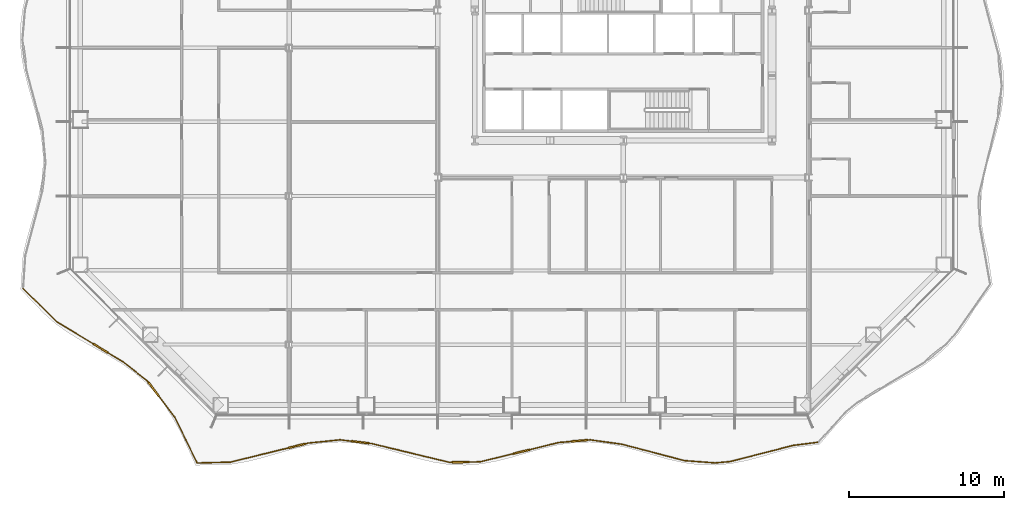
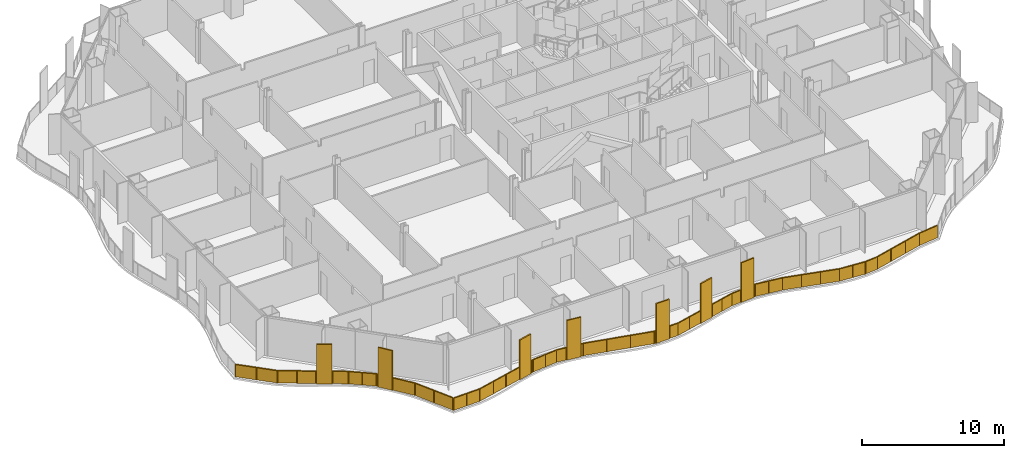
# One storey, part 15 of 20: 2 railings.
"""IFC4 building model written with IfcOpenShell, lengths in metres."""

from ifc_helpers import new_model, si_unit, direction, frame, origin, origin_2d, place, context, subcontext, project, spatial, polyline, rectangle, outline, extrude, material, type_object, element, save


model = new_model("IFC4")

# Units and contexts
model_context = context("Model", 3, precision=1e-05, world=origin(), true_north=direction((0.0, 1.0)))
body_context = subcontext(model_context, "Body", "Model", "MODEL_VIEW")
ifc_project = project(units=[si_unit("LENGTHUNIT", "METRE"), si_unit("AREAUNIT", "SQUARE_METRE"), si_unit("VOLUMEUNIT", "CUBIC_METRE"), si_unit("PLANEANGLEUNIT", "RADIAN"), si_unit("MASSUNIT", "GRAM", prefix="KILO")], contexts=[model_context])

# Site, building, storey
site_placement = place(None, origin())
site = spatial("IfcSite", under=ifc_project, at=site_placement, CompositionType="ELEMENT")
building_placement = place(site_placement, origin())
building = spatial("IfcBuilding", under=site, at=building_placement, Name="Cairn Pilgrim Tower", CompositionType="ELEMENT")
storey_placement = place(building_placement, frame((0.0, 0.0, 51.0)))
storey = spatial("IfcBuildingStorey", under=building, at=storey_placement, Name="L10", CompositionType="ELEMENT", Elevation=51.0)

# Railings
ifc_material = material(Name="Bronze anodised aluminium rail, posts and fin screens with laminated glass infill", Category="aluminium")
railing_type = type_object("IfcRailingType", Name="BALCONY GUARD WITH FIN SCREENS", PredefinedType="GUARDRAIL", material=ifc_material)
railing_1_placement = place(storey_placement, frame((-20.35009765625, -26.84765625, 0.0)))
element("IfcRailing", 1, at=railing_1_placement, inside=storey, type_object=railing_type, Name="Balcony guard BGF-1 with fin screens", PredefinedType="GUARDRAIL", context=body_context, shape_type="SweptSolid", body=[
    extrude(rectangle(XDim=0.050048828125, YDim=0.050048828125, at=origin_2d()), frame((0.0, 0.0, 1.0751953125), z_axis=(0.999665032724, 0.025880926372, 0.0), x_axis=(-0.025880926372, 0.999665032724, 0.0)), (0.0, 0.0, 1.0), 2.141357421875),
    extrude(rectangle(XDim=1.10009765625, YDim=0.110107421875, at=origin_2d()), frame((6.43701171875, 1.10546875, 0.0), z_axis=(0.0, 0.0, 1.0), x_axis=(0.971403341759, 0.237435354613, 0.0)), (0.0, 0.0, 1.0), 3.39990234375),
    extrude(rectangle(XDim=0.050048828125, YDim=0.050048828125, at=origin_2d()), frame((2.140625, 0.055419921875, 1.0751953125), z_axis=(0.971403341759, 0.237435354613, 0.0), x_axis=(-0.237435354613, 0.971403341759, 0.0)), (0.0, 0.0, 1.0), 3.872802734375),
    extrude(rectangle(XDim=0.050048828125, YDim=0.050048828125, at=origin_2d()), frame((6.97119140625, 1.236083984375, 1.0751953125), z_axis=(0.971403341759, 0.237435354613, 0.0), x_axis=(-0.237435354613, 0.971403341759, 0.0)), (0.0, 0.0, 1.0), 0.222900390625),
    extrude(rectangle(XDim=0.050048828125, YDim=0.050048828125, at=origin_2d()), frame((7.187744140625, 1.2890625, 1.0751953125), z_axis=(0.994833164728, 0.101523270029, 0.0), x_axis=(-0.101523270029, 0.994833164728, 0.0)), (0.0, 0.0, 1.0), 2.05859375),
    extrude(rectangle(XDim=1.10009765625, YDim=0.110107421875, at=origin_2d()), frame((10.540283203125, 1.342041015625, 0.0), z_axis=(0.0, 0.0, 1.0), x_axis=(0.992930548641, -0.118696779974, 0.0)), (0.0, 0.0, 1.0), 3.39990234375),
    extrude(rectangle(XDim=0.050048828125, YDim=0.050048828125, at=origin_2d()), frame((9.235595703125, 1.498046875, 1.0751953125), z_axis=(0.992930548641, -0.118696779974, 0.0), x_axis=(0.118696779974, 0.992930548641, 0.0)), (0.0, 0.0, 1.0), 0.763916015625),
    extrude(rectangle(XDim=0.050048828125, YDim=0.050048828125, at=origin_2d()), frame((11.086181640625, 1.27685546875, 1.0751953125), z_axis=(0.992930548641, -0.118696779974, 0.0), x_axis=(0.118696779974, 0.992930548641, 0.0)), (0.0, 0.0, 1.0), 0.197021484375),
    extrude(rectangle(XDim=0.050048828125, YDim=0.050048828125, at=origin_2d()), frame((11.281982421875, 1.25341796875, 1.0751953125), z_axis=(0.972183556205, -0.234220266083, 0.0), x_axis=(0.234220266083, 0.972183556205, 0.0)), (0.0, 0.0, 1.0), 5.186767578125),
    extrude(rectangle(XDim=1.10009765625, YDim=0.110107421875, at=origin_2d()), frame((17.024169921875, 0.0517578125, 0.0), z_axis=(0.0, 0.0, 1.0), x_axis=(0.999820644994, 0.018938792045, 0.0)), (0.0, 0.0, 1.0), 3.39990234375),
    extrude(rectangle(XDim=0.050048828125, YDim=0.050048828125, at=origin_2d()), frame((16.324462890625, 0.03857421875, 1.0751953125), z_axis=(0.999820644994, 0.018938792045, 0.0), x_axis=(-0.018938792045, 0.999820644994, 0.0)), (0.0, 0.0, 1.0), 0.14990234375),
    extrude(rectangle(XDim=0.050048828125, YDim=0.050048828125, at=origin_2d()), frame((17.573974609375, 0.062255859375, 1.0751953125), z_axis=(0.999820644994, 0.018938792045, 0.0), x_axis=(-0.018938792045, 0.999820644994, 0.0)), (0.0, 0.0, 1.0), 0.7353515625),
    extrude(rectangle(XDim=1.10009765625, YDim=0.110107421875, at=origin_2d()), frame((20.935791015625, 0.724609375, 0.0), z_axis=(0.0, 0.0, 1.0), x_axis=(0.970845467118, 0.239706234747, 0.0)), (0.0, 0.0, 1.0), 3.39990234375),
    extrude(rectangle(XDim=0.050048828125, YDim=0.050048828125, at=origin_2d()), frame((18.309326171875, 0.076171875, 1.0751953125), z_axis=(0.970845467118, 0.239706234747, 0.0), x_axis=(-0.239706234747, 0.970845467118, 0.0)), (0.0, 0.0, 1.0), 2.1552734375),
    extrude(rectangle(XDim=0.050048828125, YDim=0.050048828125, at=origin_2d()), frame((21.4697265625, 0.8564453125, 1.0751953125), z_axis=(0.970845467118, 0.239706234747, 0.0), x_axis=(-0.239706234747, 0.970845467118, 0.0)), (0.0, 0.0, 1.0), 1.944091796875),
    extrude(rectangle(XDim=1.10009765625, YDim=0.110107421875, at=origin_2d()), frame((24.708984375, 1.436279296875, 0.0), z_axis=(0.0, 0.0, 1.0), x_axis=(0.996482437645, 0.083801858365, 0.0)), (0.0, 0.0, 1.0), 3.39990234375),
    extrude(rectangle(XDim=0.050048828125, YDim=0.050048828125, at=origin_2d()), frame((23.357177734375, 1.322509765625, 1.0751953125), z_axis=(0.996482437645, 0.083801858365, 0.0), x_axis=(-0.083801858365, 0.996482437645, 0.0)), (0.0, 0.0, 1.0), 0.806640625),
    extrude(rectangle(XDim=0.050048828125, YDim=0.050048828125, at=origin_2d()), frame((25.257080078125, 1.482177734375, 1.0751953125), z_axis=(0.996482437645, 0.083801858365, 0.0), x_axis=(-0.083801858365, 0.996482437645, 0.0)), (0.0, 0.0, 1.0), 0.150146484375),
    extrude(rectangle(XDim=0.050048828125, YDim=0.050048828125, at=origin_2d()), frame((25.40673828125, 1.494873046875, 1.0751953125), z_axis=(0.990798491518, -0.135345296205, 0.0), x_axis=(0.135345296205, 0.990798491518, 0.0)), (0.0, 0.0, 1.0), 2.0654296875),
    extrude(rectangle(XDim=0.050048828125, YDim=0.050048828125, at=origin_2d()), frame((27.453125, 1.21533203125, 1.0751953125), z_axis=(0.967162352944, -0.254159365455, 0.0), x_axis=(0.254159365455, 0.967162352944, 0.0)), (0.0, 0.0, 1.0), 4.1748046875),
    extrude(rectangle(XDim=0.050048828125, YDim=0.050048828125, at=origin_2d()), frame((31.49072265625, 0.154296875, 1.0751953125), z_axis=(0.997197033679, -0.074820291511, 0.0), x_axis=(0.074820291511, 0.997197033679, 0.0)), (0.0, 0.0, 1.0), 2.000244140625),
    extrude(rectangle(XDim=0.050048828125, YDim=0.050048828125, at=origin_2d()), frame((33.4853515625, 0.004638671875, 1.0751953125), z_axis=(0.995513174876, 0.094623034444, 0.0), x_axis=(-0.094623034444, 0.995513174876, 0.0)), (0.0, 0.0, 1.0), 0.99072265625),
    extrude(rectangle(XDim=0.050048828125, YDim=0.050048828125, at=origin_2d()), frame((34.4716796875, 0.098388671875, 1.0751953125), z_axis=(0.968643638415, 0.248454224673, 0.0), x_axis=(-0.248454224673, 0.968643638415, 0.0)), (0.0, 0.0, 1.0), 4.17041015625),
    extrude(rectangle(XDim=0.050048828125, YDim=0.050048828125, at=origin_2d()), frame((38.51123046875, 1.134521484375, 1.0751953125), z_axis=(0.991837154862, 0.127511012211, 0.0), x_axis=(-0.127511012211, 0.991837154862, 0.0)), (0.0, 0.0, 1.0), 1.5986328125),
    extrude(rectangle(XDim=0.050048828125, YDim=0.050048828125, at=origin_2d()), origin(), (0.0, 0.0, 1.0), 1.050048828125),
    extrude(rectangle(XDim=0.050048828125, YDim=0.050048828125, at=origin_2d()), frame((1.0703125, 0.02783203125, 0.0)), (0.0, 0.0, 1.0), 1.050048828125),
    extrude(rectangle(XDim=0.050048828125, YDim=0.050048828125, at=origin_2d()), frame((2.140625, 0.055419921875, 0.0)), (0.0, 0.0, 1.0), 1.050048828125),
    extrude(rectangle(XDim=0.050048828125, YDim=0.050048828125, at=origin_2d()), frame((3.386474609375, 0.35986328125, 0.0)), (0.0, 0.0, 1.0), 1.050048828125),
    extrude(rectangle(XDim=0.050048828125, YDim=0.050048828125, at=origin_2d()), frame((4.63232421875, 0.66455078125, 0.0)), (0.0, 0.0, 1.0), 1.050048828125),
    extrude(rectangle(XDim=0.050048828125, YDim=0.050048828125, at=origin_2d()), frame((5.87841796875, 0.968994140625, 0.0)), (0.0, 0.0, 1.0), 1.050048828125),
    extrude(rectangle(XDim=0.050048828125, YDim=0.050048828125, at=origin_2d()), frame((6.99560546875, 1.2421875, 0.0)), (0.0, 0.0, 1.0), 1.050048828125),
    extrude(rectangle(XDim=0.050048828125, YDim=0.050048828125, at=origin_2d()), frame((7.187744140625, 1.2890625, 0.0)), (0.0, 0.0, 1.0), 1.050048828125),
    extrude(rectangle(XDim=0.050048828125, YDim=0.050048828125, at=origin_2d()), frame((8.211669921875, 1.3935546875, 0.0)), (0.0, 0.0, 1.0), 1.050048828125),
    extrude(rectangle(XDim=0.050048828125, YDim=0.050048828125, at=origin_2d()), frame((9.235595703125, 1.498046875, 0.0)), (0.0, 0.0, 1.0), 1.050048828125),
    extrude(rectangle(XDim=0.050048828125, YDim=0.050048828125, at=origin_2d()), frame((9.96923828125, 1.410400390625, 0.0)), (0.0, 0.0, 1.0), 1.050048828125),
    extrude(rectangle(XDim=0.050048828125, YDim=0.050048828125, at=origin_2d()), frame((11.111083984375, 1.27392578125, 0.0)), (0.0, 0.0, 1.0), 1.050048828125),
    extrude(rectangle(XDim=0.050048828125, YDim=0.050048828125, at=origin_2d()), frame((11.281982421875, 1.25341796875, 0.0)), (0.0, 0.0, 1.0), 1.050048828125),
    extrude(rectangle(XDim=0.050048828125, YDim=0.050048828125, at=origin_2d()), frame((12.962890625, 0.848388671875, 0.0)), (0.0, 0.0, 1.0), 1.050048828125),
    extrude(rectangle(XDim=0.050048828125, YDim=0.050048828125, at=origin_2d()), frame((14.6435546875, 0.443603515625, 0.0)), (0.0, 0.0, 1.0), 1.050048828125),
    extrude(rectangle(XDim=0.050048828125, YDim=0.050048828125, at=origin_2d()), frame((16.324462890625, 0.03857421875, 0.0)), (0.0, 0.0, 1.0), 1.050048828125),
    extrude(rectangle(XDim=0.050048828125, YDim=0.050048828125, at=origin_2d()), frame((16.44921875, 0.041015625, 0.0)), (0.0, 0.0, 1.0), 1.050048828125),
    extrude(rectangle(XDim=0.050048828125, YDim=0.050048828125, at=origin_2d()), frame((17.59912109375, 0.062744140625, 0.0)), (0.0, 0.0, 1.0), 1.050048828125),
    extrude(rectangle(XDim=0.050048828125, YDim=0.050048828125, at=origin_2d()), frame((18.309326171875, 0.076171875, 0.0)), (0.0, 0.0, 1.0), 1.050048828125),
    extrude(rectangle(XDim=0.050048828125, YDim=0.050048828125, at=origin_2d()), frame((19.343505859375, 0.33154296875, 0.0)), (0.0, 0.0, 1.0), 1.050048828125),
    extrude(rectangle(XDim=0.050048828125, YDim=0.050048828125, at=origin_2d()), frame((20.37744140625, 0.5869140625, 0.0)), (0.0, 0.0, 1.0), 1.050048828125),
    extrude(rectangle(XDim=0.050048828125, YDim=0.050048828125, at=origin_2d()), frame((21.494140625, 0.862548828125, 0.0)), (0.0, 0.0, 1.0), 1.050048828125),
    extrude(rectangle(XDim=0.050048828125, YDim=0.050048828125, at=origin_2d()), frame((22.425537109375, 1.092529296875, 0.0)), (0.0, 0.0, 1.0), 1.050048828125),
    extrude(rectangle(XDim=0.050048828125, YDim=0.050048828125, at=origin_2d()), frame((23.357177734375, 1.322509765625, 0.0)), (0.0, 0.0, 1.0), 1.050048828125),
    extrude(rectangle(XDim=0.050048828125, YDim=0.050048828125, at=origin_2d()), frame((24.135986328125, 1.387939453125, 0.0)), (0.0, 0.0, 1.0), 1.050048828125),
    extrude(rectangle(XDim=0.050048828125, YDim=0.050048828125, at=origin_2d()), frame((25.281982421875, 1.484375, 0.0)), (0.0, 0.0, 1.0), 1.050048828125),
    extrude(rectangle(XDim=0.050048828125, YDim=0.050048828125, at=origin_2d()), frame((25.40673828125, 1.494873046875, 0.0)), (0.0, 0.0, 1.0), 1.050048828125),
    extrude(rectangle(XDim=0.050048828125, YDim=0.050048828125, at=origin_2d()), frame((26.429931640625, 1.35498046875, 0.0)), (0.0, 0.0, 1.0), 1.050048828125),
    extrude(rectangle(XDim=0.050048828125, YDim=0.050048828125, at=origin_2d()), frame((27.453125, 1.21533203125, 0.0)), (0.0, 0.0, 1.0), 1.050048828125),
    extrude(rectangle(XDim=0.050048828125, YDim=0.050048828125, at=origin_2d()), frame((28.799072265625, 0.861572265625, 0.0)), (0.0, 0.0, 1.0), 1.050048828125),
    extrude(rectangle(XDim=0.050048828125, YDim=0.050048828125, at=origin_2d()), frame((30.144775390625, 0.508056640625, 0.0)), (0.0, 0.0, 1.0), 1.050048828125),
    extrude(rectangle(XDim=0.050048828125, YDim=0.050048828125, at=origin_2d()), frame((31.49072265625, 0.154296875, 0.0)), (0.0, 0.0, 1.0), 1.050048828125),
    extrude(rectangle(XDim=0.050048828125, YDim=0.050048828125, at=origin_2d()), frame((32.488037109375, 0.07958984375, 0.0)), (0.0, 0.0, 1.0), 1.050048828125),
    extrude(rectangle(XDim=0.050048828125, YDim=0.050048828125, at=origin_2d()), frame((33.4853515625, 0.004638671875, 0.0)), (0.0, 0.0, 1.0), 1.050048828125),
    extrude(rectangle(XDim=0.050048828125, YDim=0.050048828125, at=origin_2d()), frame((34.4716796875, 0.098388671875, 0.0)), (0.0, 0.0, 1.0), 1.050048828125),
    extrude(rectangle(XDim=0.050048828125, YDim=0.050048828125, at=origin_2d()), frame((35.818115234375, 0.44384765625, 0.0)), (0.0, 0.0, 1.0), 1.050048828125),
    extrude(rectangle(XDim=0.050048828125, YDim=0.050048828125, at=origin_2d()), frame((37.164794921875, 0.7890625, 0.0)), (0.0, 0.0, 1.0), 1.050048828125),
    extrude(rectangle(XDim=0.050048828125, YDim=0.050048828125, at=origin_2d()), frame((38.51123046875, 1.134521484375, 0.0)), (0.0, 0.0, 1.0), 1.050048828125),
    extrude(rectangle(XDim=0.050048828125, YDim=0.050048828125, at=origin_2d()), frame((40.096923828125, 1.33837890625, 0.0)), (0.0, 0.0, 1.0), 1.050048828125),
    extrude(outline(polyline([(0.02490234375, 0.0), (1.045654296875, 0.0), (1.045654296875, 1.050048828125), (0.02490234375, 1.050048828125), (0.02490234375, 0.0)])), frame((-0.000244140625, 0.005859375, 0.0), z_axis=(0.025880926372, -0.999665032724, 0.0), x_axis=(0.999665032724, 0.025880926372, 0.0)), (0.0, 0.0, 1.0), 0.011962890625),
    extrude(outline(polyline([(0.02490234375, 0.0), (1.045654296875, 0.0), (1.045654296875, 1.050048828125), (0.02490234375, 1.050048828125), (0.02490234375, 0.0)])), frame((1.070068359375, 0.03369140625, 0.0), z_axis=(0.025880926372, -0.999665032724, 0.0), x_axis=(0.999665032724, 0.025880926372, 0.0)), (0.0, 0.0, 1.0), 0.011962890625),
    extrude(outline(polyline([(0.02490234375, 0.0), (1.257568359375, 0.0), (1.257568359375, 1.050048828125), (0.02490234375, 1.050048828125), (0.02490234375, 0.0)])), frame((2.13916015625, 0.061279296875, 0.0), z_axis=(0.237435354613, -0.971403341759, 0.0), x_axis=(0.971403341759, 0.237435354613, 0.0)), (0.0, 0.0, 1.0), 0.011962890625),
    extrude(outline(polyline([(0.02490234375, 0.0), (1.257568359375, 0.0), (1.257568359375, 1.050048828125), (0.02490234375, 1.050048828125), (0.02490234375, 0.0)])), frame((3.385009765625, 0.36572265625, 0.0), z_axis=(0.237435354613, -0.971403341759, 0.0), x_axis=(0.971403341759, 0.237435354613, 0.0)), (0.0, 0.0, 1.0), 0.011962890625),
    extrude(outline(polyline([(0.02490234375, 0.0), (1.257568359375, 0.0), (1.257568359375, 1.050048828125), (0.02490234375, 1.050048828125), (0.02490234375, 0.0)])), frame((4.631103515625, 0.67041015625, 0.0), z_axis=(0.237435354613, -0.971403341759, 0.0), x_axis=(0.971403341759, 0.237435354613, 0.0)), (0.0, 0.0, 1.0), 0.011962890625),
    extrude(outline(polyline([(0.02490234375, 0.0), (0.1728515625, 0.0), (0.1728515625, 1.050048828125), (0.02490234375, 1.050048828125), (0.02490234375, 0.0)])), frame((6.994140625, 1.247802734375, 0.0), z_axis=(0.237435354613, -0.971403341759, 0.0), x_axis=(0.971403341759, 0.237435354613, 0.0)), (0.0, 0.0, 1.0), 0.011962890625),
    extrude(outline(polyline([(0.02490234375, 0.0), (1.004150390625, 0.0), (1.004150390625, 1.050048828125), (0.02490234375, 1.050048828125), (0.02490234375, 0.0)])), frame((7.187255859375, 1.294921875, 0.0), z_axis=(0.101523270029, -0.994833164728, 0.0), x_axis=(0.994833164728, 0.101523270029, 0.0)), (0.0, 0.0, 1.0), 0.011962890625),
    extrude(outline(polyline([(0.02490234375, 0.0), (1.004150390625, 0.0), (1.004150390625, 1.050048828125), (0.02490234375, 1.050048828125), (0.02490234375, 0.0)])), frame((8.211181640625, 1.3994140625, 0.0), z_axis=(0.101523270029, -0.994833164728, 0.0), x_axis=(0.994833164728, 0.101523270029, 0.0)), (0.0, 0.0, 1.0), 0.011962890625),
    extrude(outline(polyline([(0.02490234375, 0.0), (0.7138671875, 0.0), (0.7138671875, 1.050048828125), (0.02490234375, 1.050048828125), (0.02490234375, 0.0)])), frame((9.236328125, 1.50390625, 0.0), z_axis=(-0.118696779974, -0.992930548641, 0.0), x_axis=(0.992930548641, -0.118696779974, 0.0)), (0.0, 0.0, 1.0), 0.011962890625),
    extrude(outline(polyline([(0.02490234375, 0.0), (0.14697265625, 0.0), (0.14697265625, 1.050048828125), (0.02490234375, 1.050048828125), (0.02490234375, 0.0)])), frame((11.11181640625, 1.27978515625, 0.0), z_axis=(-0.118696779974, -0.992930548641, 0.0), x_axis=(0.992930548641, -0.118696779974, 0.0)), (0.0, 0.0, 1.0), 0.011962890625),
    extrude(outline(polyline([(0.02490234375, 0.0), (1.703857421875, 0.0), (1.703857421875, 1.050048828125), (0.02490234375, 1.050048828125), (0.02490234375, 0.0)])), frame((11.283447265625, 1.25927734375, 0.0), z_axis=(-0.234220266083, -0.972183556205, 0.0), x_axis=(0.972183556205, -0.234220266083, 0.0)), (0.0, 0.0, 1.0), 0.011962890625),
    extrude(outline(polyline([(0.02490234375, 0.0), (1.703857421875, 0.0), (1.703857421875, 1.050048828125), (0.02490234375, 1.050048828125), (0.02490234375, 0.0)])), frame((12.964111328125, 0.854248046875, 0.0), z_axis=(-0.234220266083, -0.972183556205, 0.0), x_axis=(0.972183556205, -0.234220266083, 0.0)), (0.0, 0.0, 1.0), 0.011962890625),
    extrude(outline(polyline([(0.02490234375, 0.0), (1.703857421875, 0.0), (1.703857421875, 1.050048828125), (0.02490234375, 1.050048828125), (0.02490234375, 0.0)])), frame((14.64501953125, 0.44921875, 0.0), z_axis=(-0.234220266083, -0.972183556205, 0.0), x_axis=(0.972183556205, -0.234220266083, 0.0)), (0.0, 0.0, 1.0), 0.011962890625),
    extrude(outline(polyline([(0.02490234375, 0.0), (0.099853515625, 0.0), (0.099853515625, 1.050048828125), (0.02490234375, 1.050048828125), (0.02490234375, 0.0)])), frame((16.324462890625, 0.04443359375, 0.0), z_axis=(0.018938792045, -0.999820644994, 0.0), x_axis=(0.999820644994, 0.018938792045, 0.0)), (0.0, 0.0, 1.0), 0.011962890625),
    extrude(outline(polyline([(0.02490234375, 0.0), (0.685302734375, 0.0), (0.685302734375, 1.050048828125), (0.02490234375, 1.050048828125), (0.02490234375, 0.0)])), frame((17.59912109375, 0.068603515625, 0.0), z_axis=(0.018938792045, -0.999820644994, 0.0), x_axis=(0.999820644994, 0.018938792045, 0.0)), (0.0, 0.0, 1.0), 0.011962890625),
    extrude(outline(polyline([(0.02490234375, 0.0), (1.0400390625, 0.0), (1.0400390625, 1.050048828125), (0.02490234375, 1.050048828125), (0.02490234375, 0.0)])), frame((18.307861328125, 0.08203125, 0.0), z_axis=(0.239706234747, -0.970845467118, 0.0), x_axis=(0.970845467118, 0.239706234747, 0.0)), (0.0, 0.0, 1.0), 0.011962890625),
    extrude(outline(polyline([(0.02490234375, 0.0), (1.0400390625, 0.0), (1.0400390625, 1.050048828125), (0.02490234375, 1.050048828125), (0.02490234375, 0.0)])), frame((19.342041015625, 0.33740234375, 0.0), z_axis=(0.239706234747, -0.970845467118, 0.0), x_axis=(0.970845467118, 0.239706234747, 0.0)), (0.0, 0.0, 1.0), 0.011962890625),
    extrude(outline(polyline([(0.02490234375, 0.0), (0.9345703125, 0.0), (0.9345703125, 1.050048828125), (0.02490234375, 1.050048828125), (0.02490234375, 0.0)])), frame((21.49267578125, 0.868408203125, 0.0), z_axis=(0.239706234747, -0.970845467118, 0.0), x_axis=(0.970845467118, 0.239706234747, 0.0)), (0.0, 0.0, 1.0), 0.011962890625),
    extrude(outline(polyline([(0.02490234375, 0.0), (0.9345703125, 0.0), (0.9345703125, 1.050048828125), (0.02490234375, 1.050048828125), (0.02490234375, 0.0)])), frame((22.424072265625, 1.098388671875, 0.0), z_axis=(0.239706234747, -0.970845467118, 0.0), x_axis=(0.970845467118, 0.239706234747, 0.0)), (0.0, 0.0, 1.0), 0.011962890625),
    extrude(outline(polyline([(0.02490234375, 0.0), (0.756591796875, 0.0), (0.756591796875, 1.050048828125), (0.02490234375, 1.050048828125), (0.02490234375, 0.0)])), frame((23.356689453125, 1.328369140625, 0.0), z_axis=(0.083801858365, -0.996482437645, 0.0), x_axis=(0.996482437645, 0.083801858365, 0.0)), (0.0, 0.0, 1.0), 0.011962890625),
    extrude(outline(polyline([(0.02490234375, 0.0), (0.10009765625, 0.0), (0.10009765625, 1.050048828125), (0.02490234375, 1.050048828125), (0.02490234375, 0.0)])), frame((25.281494140625, 1.490234375, 0.0), z_axis=(0.083801858365, -0.996482437645, 0.0), x_axis=(0.996482437645, 0.083801858365, 0.0)), (0.0, 0.0, 1.0), 0.011962890625),
    extrude(outline(polyline([(0.02490234375, 0.0), (1.007568359375, 0.0), (1.007568359375, 1.050048828125), (0.02490234375, 1.050048828125), (0.02490234375, 0.0)])), frame((25.407470703125, 1.500732421875, 0.0), z_axis=(-0.135345296205, -0.990798491518, 0.0), x_axis=(0.990798491518, -0.135345296205, 0.0)), (0.0, 0.0, 1.0), 0.011962890625),
    extrude(outline(polyline([(0.02490234375, 0.0), (1.007568359375, 0.0), (1.007568359375, 1.050048828125), (0.02490234375, 1.050048828125), (0.02490234375, 0.0)])), frame((26.4306640625, 1.361083984375, 0.0), z_axis=(-0.135345296205, -0.990798491518, 0.0), x_axis=(0.990798491518, -0.135345296205, 0.0)), (0.0, 0.0, 1.0), 0.011962890625),
    extrude(outline(polyline([(0.02490234375, 0.0), (1.366455078125, 0.0), (1.366455078125, 1.050048828125), (0.02490234375, 1.050048828125), (0.02490234375, 0.0)])), frame((27.45458984375, 1.22119140625, 0.0), z_axis=(-0.254159365455, -0.967162352944, 0.0), x_axis=(0.967162352944, -0.254159365455, 0.0)), (0.0, 0.0, 1.0), 0.011962890625),
    extrude(outline(polyline([(0.02490234375, 0.0), (1.366455078125, 0.0), (1.366455078125, 1.050048828125), (0.02490234375, 1.050048828125), (0.02490234375, 0.0)])), frame((28.800537109375, 0.867431640625, 0.0), z_axis=(-0.254159365455, -0.967162352944, 0.0), x_axis=(0.967162352944, -0.254159365455, 0.0)), (0.0, 0.0, 1.0), 0.011962890625),
    extrude(outline(polyline([(0.02490234375, 0.0), (1.366455078125, 0.0), (1.366455078125, 1.050048828125), (0.02490234375, 1.050048828125), (0.02490234375, 0.0)])), frame((30.146484375, 0.513671875, 0.0), z_axis=(-0.254159365455, -0.967162352944, 0.0), x_axis=(0.967162352944, -0.254159365455, 0.0)), (0.0, 0.0, 1.0), 0.011962890625),
    extrude(outline(polyline([(0.02490234375, 0.0), (0.97509765625, 0.0), (0.97509765625, 1.050048828125), (0.02490234375, 1.050048828125), (0.02490234375, 0.0)])), frame((31.4912109375, 0.16015625, 0.0), z_axis=(-0.074820291511, -0.997197033679, 0.0), x_axis=(0.997197033679, -0.074820291511, 0.0)), (0.0, 0.0, 1.0), 0.011962890625),
    extrude(outline(polyline([(0.02490234375, 0.0), (0.97509765625, 0.0), (0.97509765625, 1.050048828125), (0.02490234375, 1.050048828125), (0.02490234375, 0.0)])), frame((32.488525390625, 0.08544921875, 0.0), z_axis=(-0.074820291511, -0.997197033679, 0.0), x_axis=(0.997197033679, -0.074820291511, 0.0)), (0.0, 0.0, 1.0), 0.011962890625),
    extrude(outline(polyline([(0.02490234375, 0.0), (0.9658203125, 0.0), (0.9658203125, 1.050048828125), (0.02490234375, 1.050048828125), (0.02490234375, 0.0)])), frame((33.48486328125, 0.010498046875, 0.0), z_axis=(0.094623034444, -0.995513174876, 0.0), x_axis=(0.995513174876, 0.094623034444, 0.0)), (0.0, 0.0, 1.0), 0.011962890625),
    extrude(outline(polyline([(0.02490234375, 0.0), (1.364990234375, 0.0), (1.364990234375, 1.050048828125), (0.02490234375, 1.050048828125), (0.02490234375, 0.0)])), frame((34.47021484375, 0.104248046875, 0.0), z_axis=(0.248454224673, -0.968643638415, 0.0), x_axis=(0.968643638415, 0.248454224673, 0.0)), (0.0, 0.0, 1.0), 0.011962890625),
    extrude(outline(polyline([(0.02490234375, 0.0), (1.364990234375, 0.0), (1.364990234375, 1.050048828125), (0.02490234375, 1.050048828125), (0.02490234375, 0.0)])), frame((35.816650390625, 0.449462890625, 0.0), z_axis=(0.248454224673, -0.968643638415, 0.0), x_axis=(0.968643638415, 0.248454224673, 0.0)), (0.0, 0.0, 1.0), 0.011962890625),
    extrude(outline(polyline([(0.02490234375, 0.0), (1.364990234375, 0.0), (1.364990234375, 1.050048828125), (0.02490234375, 1.050048828125), (0.02490234375, 0.0)])), frame((37.163330078125, 0.794921875, 0.0), z_axis=(0.248454224673, -0.968643638415, 0.0), x_axis=(0.968643638415, 0.248454224673, 0.0)), (0.0, 0.0, 1.0), 0.011962890625),
    extrude(outline(polyline([(0.02490234375, 0.0), (1.57373046875, 0.0), (1.57373046875, 1.050048828125), (0.02490234375, 1.050048828125), (0.02490234375, 0.0)])), frame((38.510498046875, 1.140380859375, 0.0), z_axis=(0.127511012211, -0.991837154862, 0.0), x_axis=(0.991837154862, 0.127511012211, 0.0)), (0.0, 0.0, 1.0), 0.011962890625),
])
railing_2_placement = place(storey_placement, frame((-31.602294921875, -15.566162109375, 0.0)))
element("IfcRailing", 2, at=railing_2_placement, inside=storey, type_object=railing_type, Name="Balcony guard BGF-8 with fin screens", PredefinedType="GUARDRAIL", context=body_context, shape_type="SweptSolid", body=[
    extrude(rectangle(XDim=0.050048828125, YDim=0.050048828125, at=origin_2d()), frame((0.0, 0.0, 1.0751953125), z_axis=(0.711928962472, -0.702251487996, 0.0), x_axis=(0.702251487996, 0.711928962472, 0.0)), (0.0, 0.0, 1.0), 3.077880859375),
    extrude(rectangle(XDim=1.10009765625, YDim=0.110107421875, at=origin_2d()), frame((5.007568359375, -3.862060546875, 0.0), z_axis=(0.0, 0.0, 1.0), x_axis=(0.856046457288, -0.516898890466, 0.0)), (0.0, 0.0, 1.0), 3.39990234375),
    extrude(rectangle(XDim=0.050048828125, YDim=0.050048828125, at=origin_2d()), frame((2.191162109375, -2.161376953125, 1.0751953125), z_axis=(0.856046457288, -0.516898890466, 0.0), x_axis=(0.516898890466, 0.856046457288, 0.0)), (0.0, 0.0, 1.0), 2.740234375),
    extrude(rectangle(XDim=0.050048828125, YDim=0.050048828125, at=origin_2d()), frame((5.478515625, -4.146240234375, 1.0751953125), z_axis=(0.856046457288, -0.516898890466, 0.0), x_axis=(0.516898890466, 0.856046457288, 0.0)), (0.0, 0.0, 1.0), 1.145751953125),
    extrude(rectangle(XDim=0.050048828125, YDim=0.050048828125, at=origin_2d()), frame((6.459228515625, -4.738525390625, 1.0751953125), z_axis=(0.787338646265, -0.616520766964, 0.0), x_axis=(0.616520766964, 0.787338646265, 0.0)), (0.0, 0.0, 1.0), 1.982421875),
    extrude(rectangle(XDim=1.10009765625, YDim=0.110107421875, at=origin_2d()), frame((8.443115234375, -6.518310546875, 0.0), z_axis=(0.0, 0.0, 1.0), x_axis=(0.604330715894, -0.796733572675, 0.0)), (0.0, 0.0, 1.0), 3.39990234375),
    extrude(rectangle(XDim=0.050048828125, YDim=0.050048828125, at=origin_2d()), frame((8.02001953125, -5.960693359375, 1.0751953125), z_axis=(0.604330715894, -0.796733572675, 0.0), x_axis=(0.796733572675, 0.604330715894, 0.0)), (0.0, 0.0, 1.0), 0.14990234375),
    extrude(rectangle(XDim=0.050048828125, YDim=0.050048828125, at=origin_2d()), frame((8.775390625, -6.95654296875, 1.0751953125), z_axis=(0.604330715894, -0.796733572675, 0.0), x_axis=(0.796733572675, 0.604330715894, 0.0)), (0.0, 0.0, 1.0), 1.720458984375),
    extrude(rectangle(XDim=0.050048828125, YDim=0.050048828125, at=origin_2d()), frame((9.815185546875, -8.327392578125, 1.0751953125), z_axis=(0.437467373238, -0.899234283906, 0.0), x_axis=(0.899234283906, 0.437467373238, 0.0)), (0.0, 0.0, 1.0), 3.22509765625),
    extrude(rectangle(XDim=0.050048828125, YDim=0.050048828125, at=origin_2d()), origin(), (0.0, 0.0, 1.0), 1.050048828125),
    extrude(rectangle(XDim=0.050048828125, YDim=0.050048828125, at=origin_2d()), frame((1.095703125, -1.08056640625, 0.0)), (0.0, 0.0, 1.0), 1.050048828125),
    extrude(rectangle(XDim=0.050048828125, YDim=0.050048828125, at=origin_2d()), frame((2.191162109375, -2.161376953125, 0.0)), (0.0, 0.0, 1.0), 1.050048828125),
    extrude(rectangle(XDim=0.050048828125, YDim=0.050048828125, at=origin_2d()), frame((3.353271484375, -2.863037109375, 0.0)), (0.0, 0.0, 1.0), 1.050048828125),
    extrude(rectangle(XDim=0.050048828125, YDim=0.050048828125, at=origin_2d()), frame((4.515380859375, -3.564697265625, 0.0)), (0.0, 0.0, 1.0), 1.050048828125),
    extrude(rectangle(XDim=0.050048828125, YDim=0.050048828125, at=origin_2d()), frame((5.5, -4.1591796875, 0.0)), (0.0, 0.0, 1.0), 1.050048828125),
    extrude(rectangle(XDim=0.050048828125, YDim=0.050048828125, at=origin_2d()), frame((6.459228515625, -4.738525390625, 0.0)), (0.0, 0.0, 1.0), 1.050048828125),
    extrude(rectangle(XDim=0.050048828125, YDim=0.050048828125, at=origin_2d()), frame((7.23974609375, -5.349609375, 0.0)), (0.0, 0.0, 1.0), 1.050048828125),
    extrude(rectangle(XDim=0.050048828125, YDim=0.050048828125, at=origin_2d()), frame((8.02001953125, -5.960693359375, 0.0)), (0.0, 0.0, 1.0), 1.050048828125),
    extrude(rectangle(XDim=0.050048828125, YDim=0.050048828125, at=origin_2d()), frame((8.095458984375, -6.060302734375, 0.0)), (0.0, 0.0, 1.0), 1.050048828125),
    extrude(rectangle(XDim=0.050048828125, YDim=0.050048828125, at=origin_2d()), frame((8.79052734375, -6.9765625, 0.0)), (0.0, 0.0, 1.0), 1.050048828125),
    extrude(rectangle(XDim=0.050048828125, YDim=0.050048828125, at=origin_2d()), frame((9.815185546875, -8.327392578125, 0.0)), (0.0, 0.0, 1.0), 1.050048828125),
    extrude(rectangle(XDim=0.050048828125, YDim=0.050048828125, at=origin_2d()), frame((10.5205078125, -9.77734375, 0.0)), (0.0, 0.0, 1.0), 1.050048828125),
    extrude(rectangle(XDim=0.050048828125, YDim=0.050048828125, at=origin_2d()), frame((11.22607421875, -11.2275390625, 0.0)), (0.0, 0.0, 1.0), 1.050048828125),
    extrude(outline(polyline([(0.02490234375, 0.0), (1.513916015625, 0.0), (1.513916015625, 1.050048828125), (0.02490234375, 1.050048828125), (0.02490234375, 0.0)])), frame((0.004150390625, 0.004150390625, 0.0), z_axis=(-0.702251487996, -0.711928962472, 0.0), x_axis=(0.711928962472, -0.702251487996, 0.0)), (0.0, 0.0, 1.0), 0.011962890625),
    extrude(outline(polyline([(0.02490234375, 0.0), (1.513916015625, 0.0), (1.513916015625, 1.050048828125), (0.02490234375, 1.050048828125), (0.02490234375, 0.0)])), frame((1.099853515625, -1.076416015625, 0.0), z_axis=(-0.702251487996, -0.711928962472, 0.0), x_axis=(0.711928962472, -0.702251487996, 0.0)), (0.0, 0.0, 1.0), 0.011962890625),
    extrude(outline(polyline([(0.02490234375, 0.0), (1.33251953125, 0.0), (1.33251953125, 1.050048828125), (0.02490234375, 1.050048828125), (0.02490234375, 0.0)])), frame((2.1943359375, -2.15625, 0.0), z_axis=(-0.516898890466, -0.856046457288, 0.0), x_axis=(0.856046457288, -0.516898890466, 0.0)), (0.0, 0.0, 1.0), 0.011962890625),
    extrude(outline(polyline([(0.02490234375, 0.0), (1.33251953125, 0.0), (1.33251953125, 1.050048828125), (0.02490234375, 1.050048828125), (0.02490234375, 0.0)])), frame((3.3564453125, -2.85791015625, 0.0), z_axis=(-0.516898890466, -0.856046457288, 0.0), x_axis=(0.856046457288, -0.516898890466, 0.0)), (0.0, 0.0, 1.0), 0.011962890625),
    extrude(outline(polyline([(0.02490234375, 0.0), (1.095703125, 0.0), (1.095703125, 1.050048828125), (0.02490234375, 1.050048828125), (0.02490234375, 0.0)])), frame((5.5029296875, -4.154052734375, 0.0), z_axis=(-0.516898890466, -0.856046457288, 0.0), x_axis=(0.856046457288, -0.516898890466, 0.0)), (0.0, 0.0, 1.0), 0.011962890625),
    extrude(outline(polyline([(0.02490234375, 0.0), (0.966064453125, 0.0), (0.966064453125, 1.050048828125), (0.02490234375, 1.050048828125), (0.02490234375, 0.0)])), frame((6.462890625, -4.73388671875, 0.0), z_axis=(-0.616520766964, -0.787338646265, 0.0), x_axis=(0.787338646265, -0.616520766964, 0.0)), (0.0, 0.0, 1.0), 0.011962890625),
    extrude(outline(polyline([(0.02490234375, 0.0), (0.966064453125, 0.0), (0.966064453125, 1.050048828125), (0.02490234375, 1.050048828125), (0.02490234375, 0.0)])), frame((7.243408203125, -5.344970703125, 0.0), z_axis=(-0.616520766964, -0.787338646265, 0.0), x_axis=(0.787338646265, -0.616520766964, 0.0)), (0.0, 0.0, 1.0), 0.011962890625),
    extrude(outline(polyline([(0.02490234375, 0.0), (0.099853515625, 0.0), (0.099853515625, 1.050048828125), (0.02490234375, 1.050048828125), (0.02490234375, 0.0)])), frame((8.02490234375, -5.95703125, 0.0), z_axis=(-0.796733572675, -0.604330715894, 0.0), x_axis=(0.604330715894, -0.796733572675, 0.0)), (0.0, 0.0, 1.0), 0.011962890625),
    extrude(outline(polyline([(0.02490234375, 0.0), (1.67041015625, 0.0), (1.67041015625, 1.050048828125), (0.02490234375, 1.050048828125), (0.02490234375, 0.0)])), frame((8.79541015625, -6.972900390625, 0.0), z_axis=(-0.796733572675, -0.604330715894, 0.0), x_axis=(0.604330715894, -0.796733572675, 0.0)), (0.0, 0.0, 1.0), 0.011962890625),
    extrude(outline(polyline([(0.02490234375, 0.0), (1.587646484375, 0.0), (1.587646484375, 1.050048828125), (0.02490234375, 1.050048828125), (0.02490234375, 0.0)])), frame((9.820556640625, -8.32470703125, 0.0), z_axis=(-0.899234283906, -0.437467373238, 0.0), x_axis=(0.437467373238, -0.899234283906, 0.0)), (0.0, 0.0, 1.0), 0.011962890625),
    extrude(outline(polyline([(0.02490234375, 0.0), (1.587646484375, 0.0), (1.587646484375, 1.050048828125), (0.02490234375, 1.050048828125), (0.02490234375, 0.0)])), frame((10.526123046875, -9.77490234375, 0.0), z_axis=(-0.899234283906, -0.437467373238, 0.0), x_axis=(0.437467373238, -0.899234283906, 0.0)), (0.0, 0.0, 1.0), 0.011962890625),
])

save(model, "model.ifc")
